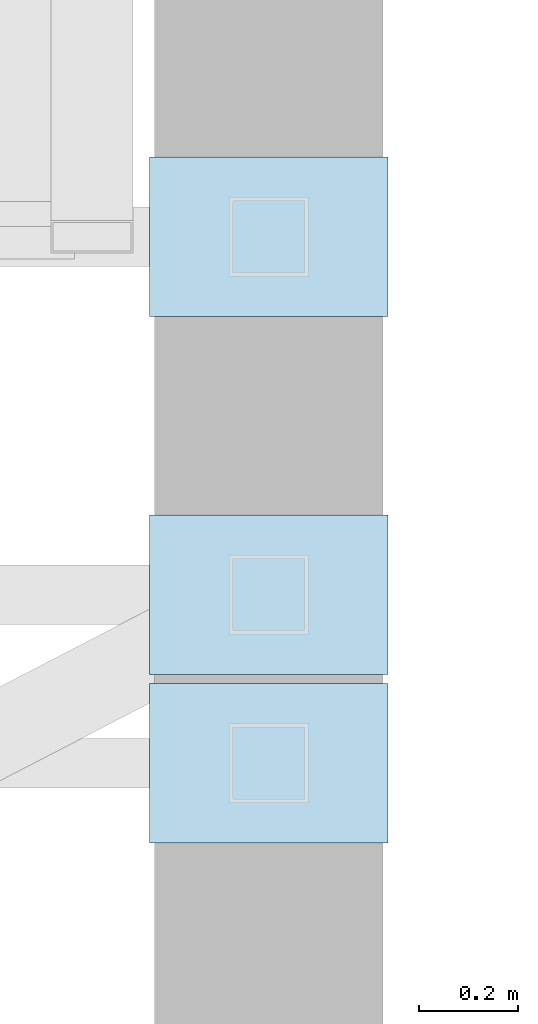
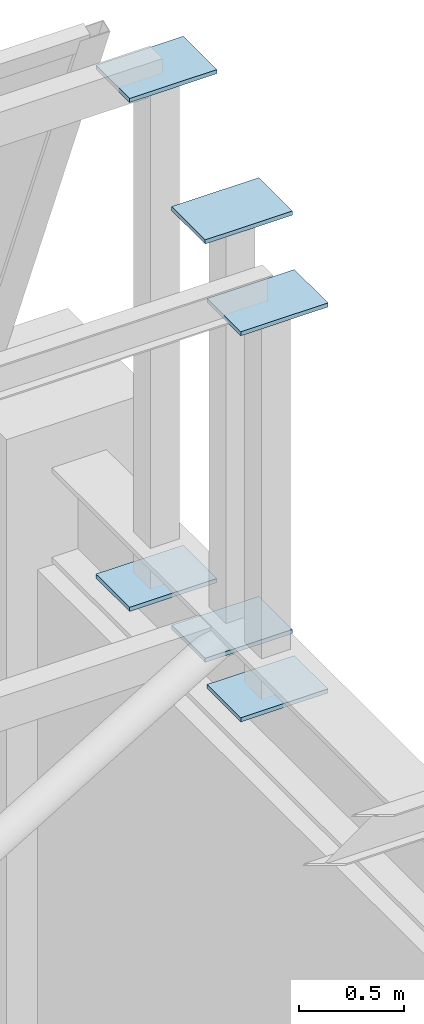
# One storey, part 78 of 98: 6 plates.
"""IFC4 building model written with IfcOpenShell, lengths in metres."""

from ifc_helpers import new_model, si_unit, direction, frame, origin, origin_2d, place, context, subcontext, project, spatial, rectangle, extrude, material, layer, layer_set, type_object, element, save


model = new_model("IFC4")

# Units and contexts
model_context = context("Model", 3, precision=1e-05, world=origin(), true_north=direction((0.0, 1.0)))
body_context = subcontext(model_context, "Body", "Model", "MODEL_VIEW")
ifc_project = project(units=[si_unit("LENGTHUNIT", "METRE"), si_unit("AREAUNIT", "SQUARE_METRE"), si_unit("VOLUMEUNIT", "CUBIC_METRE"), si_unit("PLANEANGLEUNIT", "RADIAN"), si_unit("MASSUNIT", "GRAM", prefix="KILO")], contexts=[model_context])

# Site, building, storey
site_placement = place(None, origin())
site = spatial("IfcSite", under=ifc_project, at=site_placement, CompositionType="ELEMENT")
building_placement = place(site_placement, origin())
building = spatial("IfcBuilding", under=site, at=building_placement, Name="Lykobir Media Centre", CompositionType="ELEMENT")
storey_placement = place(building_placement, frame((0.0, 0.0, 10.199951171875)))
storey = spatial("IfcBuildingStorey", under=building, at=storey_placement, Name="L02", CompositionType="ELEMENT", Elevation=10.199951171875)

# Plates
ifc_material = material(Name="Steel S355", Category="steel")
ifc_layer = layer(ifc_material, 0.02392578125, Name="Steel S355")
ifc_layer_set = layer_set([ifc_layer], Name="Steel S355")
plate_type = type_object("IfcPlateType", Name="GP-480", PredefinedType="USERDEFINED", material=ifc_layer_set)
for number, where, z_axis, x_axis, name in (
    (1, (168.0, 112.864990234375, 4.2880859375), (0.0, 0.0, 1.0), (1.0, 0.0, 0.0), "Structural plate PLT-L02-1680-1129-0145"),
    (2, (168.0, 112.864990234375, 7.2470703125), (0.0, 0.0, 1.0), (1.0, 0.0, 0.0), "Structural plate PLT-L02-1680-1129-0175"),
    (3, (168.0, 112.14501953125, 4.427978515625), (0.0, 0.0, 1.0), (1.0, 0.0, 0.0), "Structural plate PLT-L02-1680-1121-0146"),
    (4, (168.0, 112.14501953125, 6.861328125), (0.0, 0.0, 1.0), (1.0, 0.0, 0.0), "Structural plate PLT-L02-1680-1121-0171"),
    (5, (168.0, 111.805908203125, 4.2880859375), (0.0, 0.0, 1.0), (1.0, 0.0, 0.0), "Structural plate PLT-L02-1680-1118-0145"),
    (6, (168.0, 111.805908203125, 6.53271484375), (0.0, 0.0, 1.0), (1.0, 0.0, 0.0), "Structural plate PLT-L02-1680-1118-0167"),
):
    element("IfcPlate", number, at=place(storey_placement, frame(where, z_axis=z_axis, x_axis=x_axis)), inside=storey, type_object=plate_type, Name=name, ObjectType="GUSSET_PLATE", PredefinedType="USERDEFINED", context=body_context, shape_type="SweptSolid", body=[
        extrude(rectangle(XDim=0.47998046875, YDim=0.320068359375, at=origin_2d()), origin(), (0.0, 0.0, 1.0), 0.02392578125),
    ])

save(model, "model.ifc")
